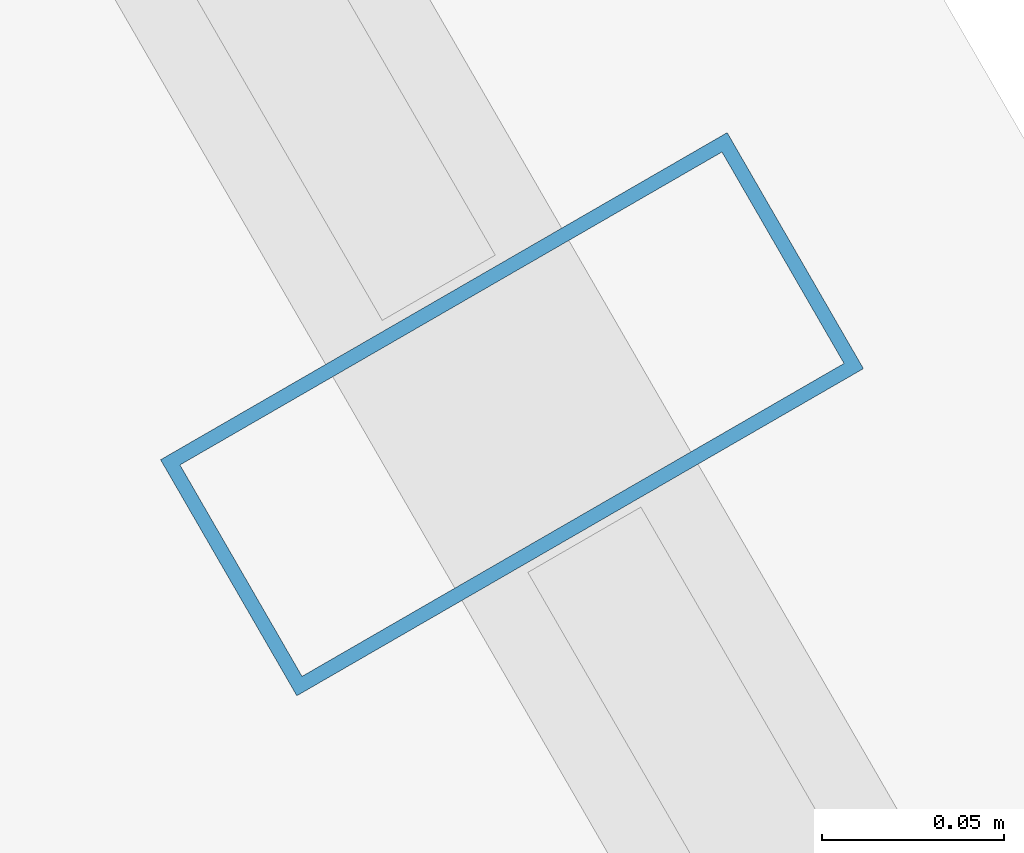
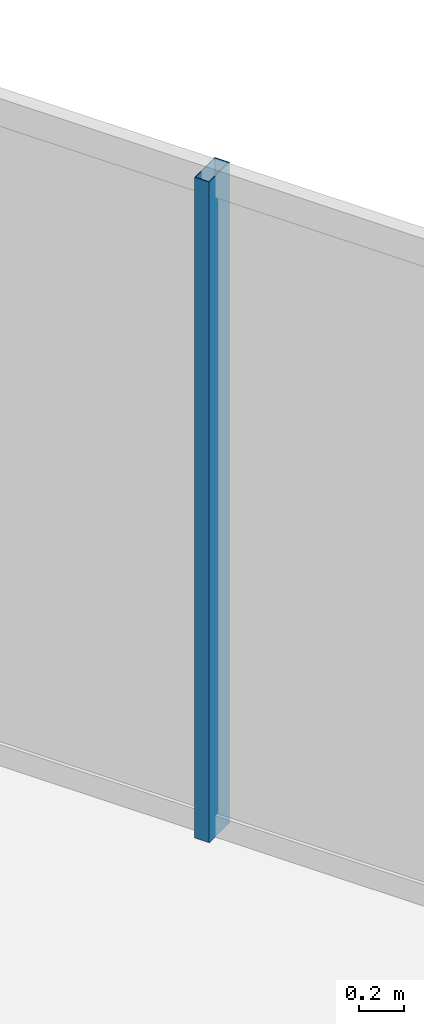
# One storey, part 18 of 34: 1 member, 1 element without a shape of its own.
"""IFC4 building model written with IfcOpenShell, lengths in metres."""

from ifc_helpers import new_model, si_unit, direction, frame, origin, origin_2d, place, context, subcontext, project, spatial, hollow_rectangle, extrude, material, layer, layer_set, material_profile, profile_set, type_object, element, aggregate, save


model = new_model("IFC4")

# Units and contexts
model_context = context("Model", 3, precision=1e-05, world=origin(), true_north=direction((0.0, 1.0)))
body_context = subcontext(model_context, "Body", "Model", "MODEL_VIEW")
ifc_project = project(units=[si_unit("LENGTHUNIT", "METRE"), si_unit("AREAUNIT", "SQUARE_METRE"), si_unit("VOLUMEUNIT", "CUBIC_METRE"), si_unit("PLANEANGLEUNIT", "RADIAN"), si_unit("MASSUNIT", "GRAM", prefix="KILO")], contexts=[model_context])

# Site, building, storey
site_placement = place(None, origin())
site = spatial("IfcSite", under=ifc_project, at=site_placement, CompositionType="ELEMENT")
building_placement = place(site_placement, origin())
building = spatial("IfcBuilding", under=site, at=building_placement, Name="Ndaravel Arena Tower", CompositionType="ELEMENT")
storey_placement = place(building_placement, frame((0.0, 0.0, 267.39990234375)))
storey = spatial("IfcBuildingStorey", under=building, at=storey_placement, Name="L65", CompositionType="ELEMENT", Elevation=267.39990234375)

# Curtain wall, member
ifc_material_1 = material(Name="Aluminium", Category="aluminium")
ifc_layer = layer(ifc_material_1, 0.179931640625)
ifc_layer_set = layer_set([ifc_layer], Name="Aluminium")
curtain_wall_type = type_object("IfcCurtainWallType", Name="CW-SYS-03", PredefinedType="NOTDEFINED", material=ifc_layer_set)
curtain_wall_placement = place(storey_placement, origin())
curtain_wall = element("IfcCurtainWall", 1, at=curtain_wall_placement, inside=storey, type_object=curtain_wall_type, Name="L65 Faceted Crystal Curtain Wall CW-L65-E03", PredefinedType="NOTDEFINED")
ifc_material_2 = material(Name="Aluminium", Category="aluminium")
ifc_material_profile = material_profile(ifc_material_2, hollow_rectangle(XDim=0.074951171875, YDim=0.179931640625, WallThickness=0.00390625, at=origin_2d()), Name="CW MULLION 75x180x4")
ifc_profile_set = profile_set([ifc_material_profile], Name="Aluminium")
member_type = type_object("IfcMemberType", Name="MEM-CW-MUL180", PredefinedType="MULLION", material=ifc_profile_set)
member_placement = place(storey_placement, frame((51.364013671875, 32.868408203125, 0.0), z_axis=(0.0, 0.0, 1.0), x_axis=(-0.5, 0.866025403784, 0.0)))
member = element("IfcMember", 2, at=member_placement, type_object=member_type, Name="CW-L65-E03 Mullion 06", PredefinedType="MULLION", context=body_context, shape_type="SweptSolid", body=[
    extrude(hollow_rectangle(XDim=0.074951171875, YDim=0.179931640625, WallThickness=0.00390625, at=origin_2d()), origin(), (0.0, 0.0, 1.0), 3.580078125),
])
aggregate(curtain_wall, [member])

save(model, "model.ifc")
